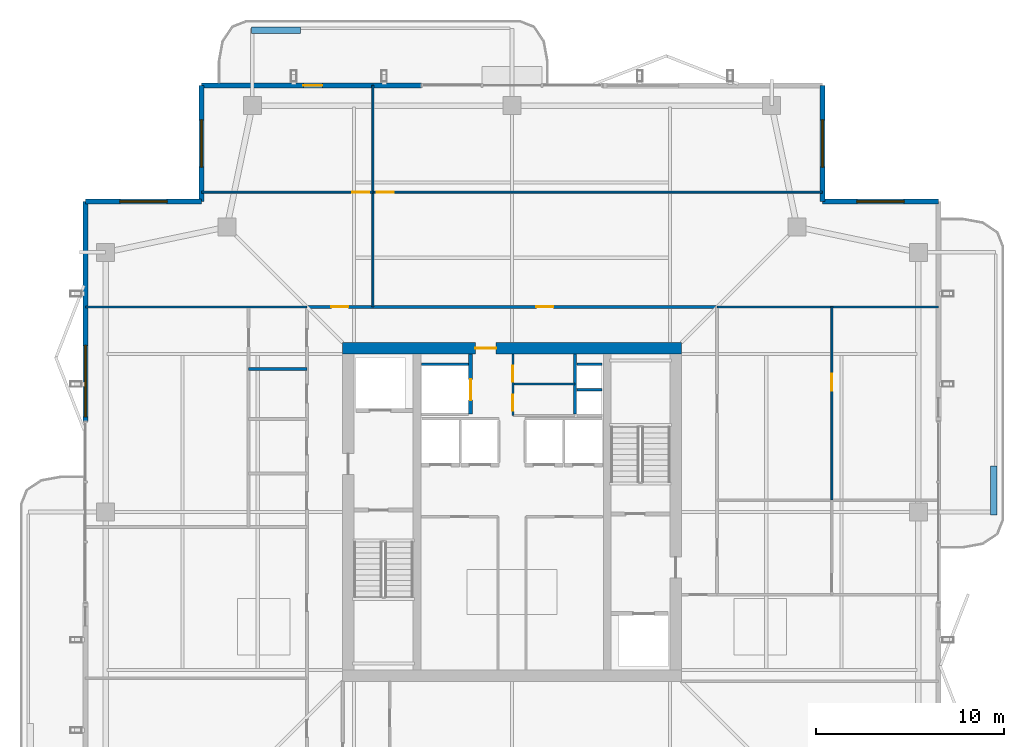
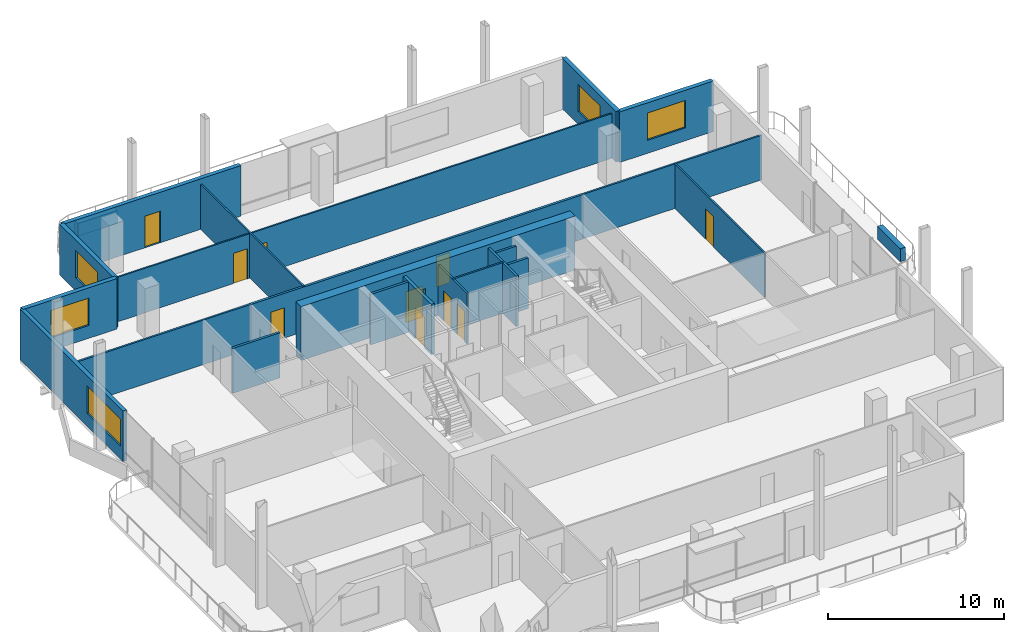
# One storey, part 16 of 20: 24 walls, 10 doors, 5 windows, 15 openings.
"""IFC4 building model written with IfcOpenShell, lengths in metres."""

from ifc_helpers import new_model, si_unit, direction, frame, frame_2d, origin, place, context, subcontext, project, spatial, rectangle, extrude, material, layer, layer_set, type_object, element, fill, save


model = new_model("IFC4")

# Units and contexts
model_context = context("Model", 3, precision=1e-05, world=origin(), true_north=direction((0.0, 1.0)))
body_context = subcontext(model_context, "Body", "Model", "MODEL_VIEW")
ifc_project = project(units=[si_unit("LENGTHUNIT", "METRE"), si_unit("AREAUNIT", "SQUARE_METRE"), si_unit("VOLUMEUNIT", "CUBIC_METRE"), si_unit("PLANEANGLEUNIT", "RADIAN"), si_unit("MASSUNIT", "GRAM", prefix="KILO")], contexts=[model_context])

# Site, building, storey
site_placement = place(None, origin())
site = spatial("IfcSite", under=ifc_project, at=site_placement, CompositionType="ELEMENT")
building_placement = place(site_placement, origin())
building = spatial("IfcBuilding", under=site, at=building_placement, Name="Belovzor Exchange Tower", CompositionType="ELEMENT")
storey_placement = place(building_placement, frame((0.0, 0.0, 306.75)))
storey = spatial("IfcBuildingStorey", under=building, at=storey_placement, Name="L76", CompositionType="ELEMENT", Elevation=306.75)

# Walls
ifc_material_1 = material(Name="Acoustic Plasterboard on Galvanised Studs", Category="gypsum")
ifc_layer_1 = layer(ifc_material_1, 0.1201171875)
ifc_layer_set_1 = layer_set([ifc_layer_1], Name="Acoustic Plasterboard on Galvanised Studs")
wall_type_1 = type_object("IfcWallType", Name="Acoustic Double-Stud Partition Wall 120", PredefinedType="PARTITIONING", material=ifc_layer_set_1)
for number, where, z_axis, x_axis, name in (
    (1, (6.1298828125, 39.699951171875, 0.0), (0.0, 0.0, 1.0), (1.0, 0.0, 0.0), "W-P120 Partition Wall W-L76-END-NW"),
    (2, (39.699951171875, 39.699951171875, 0.0), (0.0, 0.0, 1.0), (1.0, 0.0, 0.0), "W-P120 Partition Wall W-L76-END-NE"),
):
    element("IfcWall", number, at=place(storey_placement, frame(where, z_axis=z_axis, x_axis=x_axis)), inside=storey, type_object=wall_type_1, Name=name, PredefinedType="PARTITIONING", context=body_context, shape_type="SweptSolid", body=[
        extrude(rectangle(XDim=11.77001953125, YDim=0.1201171875, at=frame_2d((5.885009765625, 0.0))), origin(), (0.0, 0.0, 1.0), 3.094970703125),
    ])

# Wall, opening, door
ifc_material_2 = material(Name="Acoustic Laminated Glass and Aluminium", Category="aluminium")
ifc_layer_2 = layer(ifc_material_2, 0.10009765625)
ifc_layer_set_2 = layer_set([ifc_layer_2], Name="Acoustic Laminated Glass and Aluminium")
wall_type_2 = type_object("IfcWallType", Name="Demountable Executive Glass Partition 100", PredefinedType="MOVABLE", material=ifc_layer_set_2)
wall_1_placement = place(storey_placement, frame((12.300048828125, 45.802978515625, 0.0), z_axis=(0.0, 0.0, 1.0), x_axis=(1.0, 0.0, 0.0)))
wall_1 = element("IfcWall", 3, at=wall_1_placement, inside=storey, type_object=wall_type_2, Name="W-M100 Partition Wall W-L76-NHDIV-0", PredefinedType="MOVABLE", context=body_context, shape_type="SweptSolid", body=[
    extrude(rectangle(XDim=9.10400390625, YDim=0.10009765625, at=frame_2d((4.552001953125, 0.0))), origin(), (0.0, 0.0, 1.0), 3.094970703125),
])
opening_1_placement = place(wall_1_placement, frame((8.00390625, 0.0, 0.0)))
opening_1 = element("IfcOpeningElement", 4, at=opening_1_placement, cuts=wall_1, Name="Opening D-INT-090", PredefinedType="OPENING", context=body_context, shape_type="SweptSolid", body=[
    extrude(rectangle(XDim=0.89990234375, YDim=2.10009765625, at=frame_2d((0.449951171875, 1.050048828125))), frame((0.0, 0.06005859375, 0.0), z_axis=(0.0, -1.0, 0.0), x_axis=(1.0, 0.0, 0.0)), (0.0, 0.0, 1.0), 0.1201171875),
])
ifc_material_3 = material(Name="Veneered Hardwood Acoustic Leaf", Category="wood")
door_type_1 = type_object("IfcDoorType", Name="Trading Suite Acoustic Single Door 900x2100", OperationType="NOTDEFINED", PredefinedType="DOOR", material=ifc_material_3)
door_1_placement = place(opening_1_placement, origin())
door_1 = element("IfcDoor", 5, at=door_1_placement, inside=storey, type_object=door_type_1, Name="D-INT-090 Trading Suite Acoustic Single Door 900x2100", OperationType="SINGLE_SWING_RIGHT", OverallHeight=2.10009765625, OverallWidth=0.89990234375, PredefinedType="DOOR", context=body_context, shape_type="SweptSolid", body=[
    extrude(rectangle(XDim=0.89990234375, YDim=2.10009765625, at=frame_2d((0.449951171875, 1.050048828125))), frame((0.0, 0.02490234375, 0.0), z_axis=(0.0, -1.0, 0.0), x_axis=(1.0, 0.0, 0.0)), (0.0, 0.0, 1.0), 0.050048828125),
])
fill(opening_1, door_1)

# Wall
wall_2_placement = place(storey_placement, frame((21.404052734375, 39.699951171875, 0.0), z_axis=(0.0, 0.0, 1.0), x_axis=(0.0, 1.0, 0.0)))
element("IfcWall", 6, at=wall_2_placement, inside=storey, type_object=wall_type_2, Name="W-M100 Partition Wall W-L76-NDIV-1", PredefinedType="MOVABLE", context=body_context, shape_type="SweptSolid", body=[
    extrude(rectangle(XDim=11.77001953125, YDim=0.10009765625, at=frame_2d((5.885009765625, 0.0))), origin(), (0.0, 0.0, 1.0), 3.135009765625),
])

# Wall, opening, door
wall_3_placement = place(storey_placement, frame((21.404052734375, 45.802978515625, 0.0), z_axis=(0.0, 0.0, 1.0), x_axis=(1.0, 0.0, 0.0)))
wall_3 = element("IfcWall", 7, at=wall_3_placement, inside=storey, type_object=wall_type_2, Name="W-M100 Partition Wall W-L76-NHDIV-1", PredefinedType="MOVABLE", context=body_context, shape_type="SweptSolid", body=[
    extrude(rectangle(XDim=23.89599609375, YDim=0.10009765625, at=frame_2d((11.947998046875, 0.0))), origin(), (0.0, 0.0, 1.0), 3.094970703125),
])
opening_2_placement = place(wall_3_placement, frame((0.199951171875, 0.0, 0.0)))
opening_2 = element("IfcOpeningElement", 8, at=opening_2_placement, cuts=wall_3, Name="Opening D-INT-090", PredefinedType="OPENING", context=body_context, shape_type="SweptSolid", body=[
    extrude(rectangle(XDim=0.89990234375, YDim=2.10009765625, at=frame_2d((0.449951171875, 1.050048828125))), frame((0.0, 0.06005859375, 0.0), z_axis=(0.0, -1.0, 0.0), x_axis=(1.0, 0.0, 0.0)), (0.0, 0.0, 1.0), 0.1201171875),
])
door_2_placement = place(opening_2_placement, origin())
door_2 = element("IfcDoor", 9, at=door_2_placement, inside=storey, type_object=door_type_1, Name="D-INT-090 Trading Suite Acoustic Single Door 900x2100", OperationType="SINGLE_SWING_RIGHT", OverallHeight=2.10009765625, OverallWidth=0.89990234375, PredefinedType="DOOR", context=body_context, shape_type="SweptSolid", body=[
    extrude(rectangle(XDim=0.89990234375, YDim=2.10009765625, at=frame_2d((0.449951171875, 1.050048828125))), frame((0.0, 0.02490234375, 0.0), z_axis=(0.0, -1.0, 0.0), x_axis=(1.0, 0.0, 0.0)), (0.0, 0.0, 1.0), 0.050048828125),
])
fill(opening_2, door_2)

wall_4_placement = place(storey_placement, frame((45.802978515625, 29.427978515625, 0.0), z_axis=(0.0, 0.0, 1.0), x_axis=(0.0, 1.0, 0.0)))
wall_4 = element("IfcWall", 10, at=wall_4_placement, inside=storey, type_object=wall_type_2, Name="W-M100 Partition Wall W-L76-EHDIV-1", PredefinedType="MOVABLE", context=body_context, shape_type="SweptSolid", body=[
    extrude(rectangle(XDim=10.27197265625, YDim=0.10009765625, at=frame_2d((5.135986328125, 0.0))), origin(), (0.0, 0.0, 1.0), 3.094970703125),
])
opening_3_placement = place(wall_4_placement, frame((5.80810546875, 0.0, 0.0)))
opening_3 = element("IfcOpeningElement", 11, at=opening_3_placement, cuts=wall_4, Name="Opening D-INT-090", PredefinedType="OPENING", context=body_context, shape_type="SweptSolid", body=[
    extrude(rectangle(XDim=0.89990234375, YDim=2.10009765625, at=frame_2d((0.449951171875, 1.050048828125))), frame((0.0, 0.06005859375, 0.0), z_axis=(0.0, -1.0, 0.0), x_axis=(1.0, 0.0, 0.0)), (0.0, 0.0, 1.0), 0.1201171875),
])
door_3_placement = place(opening_3_placement, origin())
door_3 = element("IfcDoor", 12, at=door_3_placement, inside=storey, type_object=door_type_1, Name="D-INT-090 Trading Suite Acoustic Single Door 900x2100", OperationType="SINGLE_SWING_RIGHT", OverallHeight=2.10009765625, OverallWidth=0.89990234375, PredefinedType="DOOR", context=body_context, shape_type="SweptSolid", body=[
    extrude(rectangle(XDim=0.89990234375, YDim=2.10009765625, at=frame_2d((0.449951171875, 1.050048828125))), frame((0.0, 0.02490234375, 0.0), z_axis=(0.0, -1.0, 0.0), x_axis=(1.0, 0.0, 0.0)), (0.0, 0.0, 1.0), 0.050048828125),
])
fill(opening_3, door_3)

# Wall, openings, doors
ifc_material_4 = material(Name="Fire-Rated Plasterboard on Galvanised Studs", Category="gypsum")
ifc_layer_3 = layer(ifc_material_4, 0.1201171875)
ifc_layer_set_3 = layer_set([ifc_layer_3], Name="Fire-Rated Plasterboard on Galvanised Studs")
wall_type_3 = type_object("IfcWallType", Name="Fire-Rated Double-Stud Partition Wall 120", PredefinedType="PARTITIONING", material=ifc_layer_set_3)
wall_5_placement = place(storey_placement, frame((28.85009765625, 33.925048828125, 0.0), z_axis=(0.0, 0.0, 1.0), x_axis=(0.0, 1.0, 0.0)))
wall_5 = element("IfcWall", 13, at=wall_5_placement, inside=storey, type_object=wall_type_3, Name="W-P120F Partition Wall W-CRV-L76-W", PredefinedType="PARTITIONING", context=body_context, shape_type="SweptSolid", body=[
    extrude(rectangle(XDim=3.27490234375, YDim=0.1201171875, at=frame_2d((1.637451171875, 0.0))), origin(), (0.0, 0.0, 1.0), 3.510009765625),
])
opening_4_placement = place(wall_5_placement, frame((0.25, 0.0, 0.0)))
opening_4 = element("IfcOpeningElement", 14, at=opening_4_placement, cuts=wall_5, Name="Opening D-FD60-085", PredefinedType="OPENING", context=body_context, shape_type="SweptSolid", body=[
    extrude(rectangle(XDim=0.85009765625, YDim=2.10009765625, at=frame_2d((0.425048828125, 1.050048828125))), frame((0.0, 0.070068359375, 0.0), z_axis=(0.0, -1.0, 0.0), x_axis=(1.0, 0.0, 0.0)), (0.0, 0.0, 1.0), 0.14013671875),
])
opening_5_placement = place(wall_5_placement, frame((1.794921875, 0.0, 0.0)))
opening_5 = element("IfcOpeningElement", 15, at=opening_5_placement, cuts=wall_5, Name="Opening D-FD60-085", PredefinedType="OPENING", context=body_context, shape_type="SweptSolid", body=[
    extrude(rectangle(XDim=0.85009765625, YDim=2.10009765625, at=frame_2d((0.425048828125, 1.050048828125))), frame((0.0, 0.070068359375, 0.0), z_axis=(0.0, -1.0, 0.0), x_axis=(1.0, 0.0, 0.0)), (0.0, 0.0, 1.0), 0.14013671875),
])
ifc_material_5 = material(Name="Fire-Rated Steel Access Leaf", Category="steel")
door_type_2 = type_object("IfcDoorType", Name="Riser & Meter Closet Access Fire Door 850x2100", OperationType="NOTDEFINED", PredefinedType="DOOR", material=ifc_material_5)
door_4_placement = place(opening_4_placement, origin())
door_4 = element("IfcDoor", 16, at=door_4_placement, inside=storey, type_object=door_type_2, Name="D-FD60-085 Riser & Meter Closet Access Fire Door 850x2100", OperationType="SINGLE_SWING_LEFT", OverallHeight=2.10009765625, OverallWidth=0.85009765625, PredefinedType="DOOR", context=body_context, shape_type="SweptSolid", body=[
    extrude(rectangle(XDim=0.85009765625, YDim=2.10009765625, at=frame_2d((0.425048828125, 1.050048828125))), frame((0.0, 0.02490234375, 0.0), z_axis=(0.0, -1.0, 0.0), x_axis=(1.0, 0.0, 0.0)), (0.0, 0.0, 1.0), 0.050048828125),
])
fill(opening_4, door_4)
door_5_placement = place(opening_5_placement, origin())
door_5 = element("IfcDoor", 17, at=door_5_placement, inside=storey, type_object=door_type_2, Name="D-FD60-085 Riser & Meter Closet Access Fire Door 850x2100", OperationType="SINGLE_SWING_RIGHT", OverallHeight=2.10009765625, OverallWidth=0.85009765625, PredefinedType="DOOR", context=body_context, shape_type="SweptSolid", body=[
    extrude(rectangle(XDim=0.85009765625, YDim=2.10009765625, at=frame_2d((0.425048828125, 1.050048828125))), frame((0.0, 0.02490234375, 0.0), z_axis=(0.0, -1.0, 0.0), x_axis=(1.0, 0.0, 0.0)), (0.0, 0.0, 1.0), 0.050048828125),
])
fill(opening_5, door_5)

# Walls
wall_6_placement = place(storey_placement, frame((28.85009765625, 35.60009765625, 0.0), z_axis=(0.0, 0.0, 1.0), x_axis=(1.0, 0.0, 0.0)))
element("IfcWall", 18, at=wall_6_placement, inside=storey, type_object=wall_type_3, Name="W-P120F Partition Wall W-CRV-L76-M", PredefinedType="PARTITIONING", context=body_context, shape_type="SweptSolid", body=[
    extrude(rectangle(XDim=3.2998046875, YDim=0.1201171875, at=frame_2d((1.64990234375, 0.0))), origin(), (0.0, 0.0, 1.0), 3.510009765625),
])
ifc_material_6 = material(Name="Fire-Rated Gypsum Block and Mineral Wool", Category="gypsum")
ifc_layer_4 = layer(ifc_material_6, 0.14990234375)
ifc_layer_set_4 = layer_set([ifc_layer_4], Name="Fire-Rated Gypsum Block and Mineral Wool")
wall_type_4 = type_object("IfcWallType", Name="Fire-Rated Gypsum Block Corridor Wall 150", PredefinedType="PARTITIONING", material=ifc_layer_set_4)
wall_7_placement = place(storey_placement, frame((14.800048828125, 36.39990234375, 0.0), z_axis=(0.0, 0.0, 1.0), x_axis=(1.0, 0.0, 0.0)))
element("IfcWall", 19, at=wall_7_placement, inside=storey, type_object=wall_type_4, Name="W-P150 Partition Wall W-L76-WCN", PredefinedType="PARTITIONING", context=body_context, shape_type="SweptSolid", body=[
    extrude(rectangle(XDim=3.099853515625, YDim=0.14990234375, at=frame_2d((1.5498046875, 0.0))), origin(), (0.0, 0.0, 1.0), 3.135009765625),
])

# Wall, openings, doors
wall_8_placement = place(storey_placement, frame((17.89990234375, 39.699951171875, 0.0), z_axis=(0.0, 0.0, 1.0), x_axis=(1.0, 0.0, 0.0)))
wall_8 = element("IfcWall", 20, at=wall_8_placement, inside=storey, type_object=wall_type_4, Name="W-P150 Partition Wall W-L76-CN", PredefinedType="PARTITIONING", context=body_context, shape_type="SweptSolid", body=[
    extrude(rectangle(XDim=21.800048828125, YDim=0.14990234375, at=frame_2d((10.89990234375, 0.0))), origin(), (0.0, 0.0, 1.0), 3.094970703125),
])
opening_6_placement = place(wall_8_placement, frame((1.302001953125, 0.0, 0.0)))
opening_6 = element("IfcOpeningElement", 21, at=opening_6_placement, cuts=wall_8, Name="Opening D-INT-090", PredefinedType="OPENING", context=body_context, shape_type="SweptSolid", body=[
    extrude(rectangle(XDim=0.89990234375, YDim=2.10009765625, at=frame_2d((0.449951171875, 1.050048828125))), frame((0.0, 0.0849609375, 0.0), z_axis=(0.0, -1.0, 0.0), x_axis=(1.0, 0.0, 0.0)), (0.0, 0.0, 1.0), 0.169921875),
])
opening_7_placement = place(wall_8_placement, frame((12.201904296875, 0.0, 0.0)))
opening_7 = element("IfcOpeningElement", 22, at=opening_7_placement, cuts=wall_8, Name="Opening D-INT-090", PredefinedType="OPENING", context=body_context, shape_type="SweptSolid", body=[
    extrude(rectangle(XDim=0.89990234375, YDim=2.10009765625, at=frame_2d((0.449951171875, 1.050048828125))), frame((0.0, 0.0849609375, 0.0), z_axis=(0.0, -1.0, 0.0), x_axis=(1.0, 0.0, 0.0)), (0.0, 0.0, 1.0), 0.169921875),
])
door_6_placement = place(opening_6_placement, origin())
door_6 = element("IfcDoor", 23, at=door_6_placement, inside=storey, type_object=door_type_1, Name="D-INT-090 Trading Suite Acoustic Single Door 900x2100", OperationType="SINGLE_SWING_RIGHT", OverallHeight=2.10009765625, OverallWidth=0.89990234375, PredefinedType="DOOR", context=body_context, shape_type="SweptSolid", body=[
    extrude(rectangle(XDim=0.89990234375, YDim=2.10009765625, at=frame_2d((0.449951171875, 1.050048828125))), frame((0.0, 0.02490234375, 0.0), z_axis=(0.0, -1.0, 0.0), x_axis=(1.0, 0.0, 0.0)), (0.0, 0.0, 1.0), 0.050048828125),
])
fill(opening_6, door_6)
door_7_placement = place(opening_7_placement, origin())
door_7 = element("IfcDoor", 24, at=door_7_placement, inside=storey, type_object=door_type_1, Name="D-INT-090 Trading Suite Acoustic Single Door 900x2100", OperationType="SINGLE_SWING_LEFT", OverallHeight=2.10009765625, OverallWidth=0.89990234375, PredefinedType="DOOR", context=body_context, shape_type="SweptSolid", body=[
    extrude(rectangle(XDim=0.89990234375, YDim=2.10009765625, at=frame_2d((0.449951171875, 1.050048828125))), frame((0.0, 0.02490234375, 0.0), z_axis=(0.0, -1.0, 0.0), x_axis=(1.0, 0.0, 0.0)), (0.0, 0.0, 1.0), 0.050048828125),
])
fill(opening_7, door_7)

# Wall, opening, window
ifc_material_7 = material(Name="Precast concrete C40/50", Category="concrete")
ifc_layer_5 = layer(ifc_material_7, 0.280029296875)
ifc_layer_set_5 = layer_set([ifc_layer_5], Name="Precast concrete C40/50")
wall_type_5 = type_object("IfcWallType", Name="Precast Concrete Notched Corner Frame Wall 280", PredefinedType="SOLIDWALL", material=ifc_layer_set_5)
wall_9_placement = place(storey_placement, frame((6.1298828125, 45.300048828125, 0.0), z_axis=(0.0, 0.0, 1.0), x_axis=(1.0, 0.0, 0.0)))
wall_9 = element("IfcWall", 25, at=wall_9_placement, inside=storey, type_object=wall_type_5, Name="W-CRN280 Precast Concrete Notched Corner Frame Wall 280 L76", PredefinedType="SOLIDWALL", context=body_context, shape_type="SweptSolid", body=[
    extrude(rectangle(XDim=6.170166015625, YDim=0.280029296875, at=frame_2d((3.0849609375, 0.0))), origin(), (0.0, 0.0, 1.0), 3.510009765625),
])
opening_8_placement = place(wall_9_placement, frame((1.8349609375, 0.0, 0.89990234375)))
opening_8 = element("IfcOpeningElement", 26, at=opening_8_placement, cuts=wall_9, Name="Opening WN-CRN250", PredefinedType="OPENING", context=body_context, shape_type="SweptSolid", body=[
    extrude(rectangle(XDim=2.5, YDim=1.89990234375, at=frame_2d((1.25, 0.949951171875))), frame((0.0, 0.14990234375, 0.0), z_axis=(0.0, -1.0, 0.0), x_axis=(1.0, 0.0, 0.0)), (0.0, 0.0, 1.0), 0.300048828125),
])
ifc_material_8 = material(Name="Thermally Broken Aluminium and Triple Glazing", Category="aluminium")
window_type_1 = type_object("IfcWindowType", Name="Streamline Moderne Corner Wrap Ribbon Window 2500x1900", PartitioningType="SINGLE_PANEL", PredefinedType="WINDOW", material=ifc_material_8)
window_1_placement = place(opening_8_placement, origin())
window_1 = element("IfcWindow", 27, at=window_1_placement, inside=storey, type_object=window_type_1, Name="WN-CRN250 Streamline Moderne Corner Wrap Ribbon Window 2500x1900", OverallHeight=1.89990234375, OverallWidth=2.5, PartitioningType="SINGLE_PANEL", PredefinedType="WINDOW", context=body_context, shape_type="SweptSolid", body=[
    extrude(rectangle(XDim=2.5, YDim=1.89990234375, at=frame_2d((1.25, 0.949951171875))), frame((0.0, 0.030029296875, 0.0), z_axis=(0.0, -1.0, 0.0), x_axis=(1.0, 0.0, 0.0)), (0.0, 0.0, 1.0), 0.06005859375),
])
fill(opening_8, window_1)

wall_10_placement = place(storey_placement, frame((12.300048828125, 45.300048828125, 0.0), z_axis=(0.0, 0.0, 1.0), x_axis=(0.0, 1.0, 0.0)))
wall_10 = element("IfcWall", 28, at=wall_10_placement, inside=storey, type_object=wall_type_5, Name="W-CRN280 Precast Concrete Notched Corner Frame Wall 280 L76", PredefinedType="SOLIDWALL", context=body_context, shape_type="SweptSolid", body=[
    extrude(rectangle(XDim=6.169921875, YDim=0.280029296875, at=frame_2d((3.0849609375, 0.0))), origin(), (0.0, 0.0, 1.0), 3.510009765625),
])
opening_9_placement = place(wall_10_placement, frame((1.8349609375, 0.0, 0.89990234375)))
opening_9 = element("IfcOpeningElement", 29, at=opening_9_placement, cuts=wall_10, Name="Opening WN-CRN250", PredefinedType="OPENING", context=body_context, shape_type="SweptSolid", body=[
    extrude(rectangle(XDim=2.5, YDim=1.89990234375, at=frame_2d((1.25, 0.949951171875))), frame((0.0, 0.14990234375, 0.0), z_axis=(0.0, -1.0, 0.0), x_axis=(1.0, 0.0, 0.0)), (0.0, 0.0, 1.0), 0.300048828125),
])
window_2_placement = place(opening_9_placement, origin())
window_2 = element("IfcWindow", 30, at=window_2_placement, inside=storey, type_object=window_type_1, Name="WN-CRN250 Streamline Moderne Corner Wrap Ribbon Window 2500x1900", OverallHeight=1.89990234375, OverallWidth=2.5, PartitioningType="SINGLE_PANEL", PredefinedType="WINDOW", context=body_context, shape_type="SweptSolid", body=[
    extrude(rectangle(XDim=2.5, YDim=1.89990234375, at=frame_2d((1.25, 0.949951171875))), frame((0.0, 0.030029296875, 0.0), z_axis=(0.0, -1.0, 0.0), x_axis=(1.0, 0.0, 0.0)), (0.0, 0.0, 1.0), 0.06005859375),
])
fill(opening_9, window_2)

wall_11_placement = place(storey_placement, frame((45.300048828125, 51.469970703125, 0.0), z_axis=(0.0, 0.0, 1.0), x_axis=(0.0, -1.0, 0.0)))
wall_11 = element("IfcWall", 31, at=wall_11_placement, inside=storey, type_object=wall_type_5, Name="W-CRN280 Precast Concrete Notched Corner Frame Wall 280 L76", PredefinedType="SOLIDWALL", context=body_context, shape_type="SweptSolid", body=[
    extrude(rectangle(XDim=6.169921875, YDim=0.280029296875, at=frame_2d((3.0849609375, 0.0))), origin(), (0.0, 0.0, 1.0), 3.510009765625),
])
opening_10_placement = place(wall_11_placement, frame((1.8349609375, 0.0, 0.89990234375)))
opening_10 = element("IfcOpeningElement", 32, at=opening_10_placement, cuts=wall_11, Name="Opening WN-CRN250", PredefinedType="OPENING", context=body_context, shape_type="SweptSolid", body=[
    extrude(rectangle(XDim=2.5, YDim=1.89990234375, at=frame_2d((1.25, 0.949951171875))), frame((0.0, 0.14990234375, 0.0), z_axis=(0.0, -1.0, 0.0), x_axis=(1.0, 0.0, 0.0)), (0.0, 0.0, 1.0), 0.300048828125),
])
window_3_placement = place(opening_10_placement, origin())
window_3 = element("IfcWindow", 33, at=window_3_placement, inside=storey, type_object=window_type_1, Name="WN-CRN250 Streamline Moderne Corner Wrap Ribbon Window 2500x1900", OverallHeight=1.89990234375, OverallWidth=2.5, PartitioningType="SINGLE_PANEL", PredefinedType="WINDOW", context=body_context, shape_type="SweptSolid", body=[
    extrude(rectangle(XDim=2.5, YDim=1.89990234375, at=frame_2d((1.25, 0.949951171875))), frame((0.0, 0.030029296875, 0.0), z_axis=(0.0, -1.0, 0.0), x_axis=(1.0, 0.0, 0.0)), (0.0, 0.0, 1.0), 0.06005859375),
])
fill(opening_10, window_3)

wall_12_placement = place(storey_placement, frame((45.300048828125, 45.300048828125, 0.0), z_axis=(0.0, 0.0, 1.0), x_axis=(1.0, 0.0, 0.0)))
wall_12 = element("IfcWall", 34, at=wall_12_placement, inside=storey, type_object=wall_type_5, Name="W-CRN280 Precast Concrete Notched Corner Frame Wall 280 L76", PredefinedType="SOLIDWALL", context=body_context, shape_type="SweptSolid", body=[
    extrude(rectangle(XDim=6.169921875, YDim=0.280029296875, at=frame_2d((3.0849609375, 0.0))), origin(), (0.0, 0.0, 1.0), 3.510009765625),
])
opening_11_placement = place(wall_12_placement, frame((1.8349609375, 0.0, 0.89990234375)))
opening_11 = element("IfcOpeningElement", 35, at=opening_11_placement, cuts=wall_12, Name="Opening WN-CRN250", PredefinedType="OPENING", context=body_context, shape_type="SweptSolid", body=[
    extrude(rectangle(XDim=2.5, YDim=1.89990234375, at=frame_2d((1.25, 0.949951171875))), frame((0.0, 0.14990234375, 0.0), z_axis=(0.0, -1.0, 0.0), x_axis=(1.0, 0.0, 0.0)), (0.0, 0.0, 1.0), 0.300048828125),
])
window_4_placement = place(opening_11_placement, origin())
window_4 = element("IfcWindow", 36, at=window_4_placement, inside=storey, type_object=window_type_1, Name="WN-CRN250 Streamline Moderne Corner Wrap Ribbon Window 2500x1900", OverallHeight=1.89990234375, OverallWidth=2.5, PartitioningType="SINGLE_PANEL", PredefinedType="WINDOW", context=body_context, shape_type="SweptSolid", body=[
    extrude(rectangle(XDim=2.5, YDim=1.89990234375, at=frame_2d((1.25, 0.949951171875))), frame((0.0, 0.030029296875, 0.0), z_axis=(0.0, -1.0, 0.0), x_axis=(1.0, 0.0, 0.0)), (0.0, 0.0, 1.0), 0.06005859375),
])
fill(opening_11, window_4)

# Wall, opening, door
ifc_material_9 = material(Name="Precast concrete C40/50", Category="concrete")
ifc_layer_6 = layer(ifc_material_9, 0.260009765625)
ifc_layer_set_6 = layer_set([ifc_layer_6], Name="Precast concrete C40/50")
wall_type_6 = type_object("IfcWallType", Name="Precast Concrete Perimeter Loggia Frame Wall 260", PredefinedType="SOLIDWALL", material=ifc_layer_set_6)
wall_13_placement = place(storey_placement, frame((12.300048828125, 51.469970703125, 0.0), z_axis=(0.0, 0.0, 1.0), x_axis=(1.0, 0.0, 0.0)))
wall_13 = element("IfcWall", 37, at=wall_13_placement, inside=storey, type_object=wall_type_6, Name="W-EXT260 Precast Concrete Perimeter Loggia Frame Wall 260 L76", PredefinedType="SOLIDWALL", context=body_context, shape_type="SweptSolid", body=[
    extrude(rectangle(XDim=11.699951171875, YDim=0.260009765625, at=frame_2d((5.85009765625, 0.0))), origin(), (0.0, 0.0, 1.0), 3.510009765625),
])
opening_12_placement = place(wall_13_placement, frame((5.416015625, 0.0, 0.0)))
opening_12 = element("IfcOpeningElement", 38, at=opening_12_placement, cuts=wall_13, Name="Opening D-BAL100", PredefinedType="OPENING", context=body_context, shape_type="SweptSolid", body=[
    extrude(rectangle(XDim=1.0, YDim=2.199951171875, at=frame_2d((0.5, 1.10009765625))), frame((0.0, 0.139892578125, 0.0), z_axis=(0.0, -1.0, 0.0), x_axis=(1.0, 0.0, 0.0)), (0.0, 0.0, 1.0), 0.280029296875),
])
ifc_material_10 = material(Name="Thermally Broken Anodised Aluminium and Laminated Glass", Category="aluminium")
door_type_3 = type_object("IfcDoorType", Name="Planted Loggia Terrace Glazed Door 1000x2200", OperationType="SINGLE_SWING_LEFT", PredefinedType="DOOR", material=ifc_material_10)
door_8_placement = place(opening_12_placement, origin())
door_8 = element("IfcDoor", 39, at=door_8_placement, inside=storey, type_object=door_type_3, Name="D-BAL100 Balcony Terrace Door L76 N", OperationType="SINGLE_SWING_RIGHT", OverallHeight=2.199951171875, OverallWidth=1.0, PredefinedType="DOOR", context=body_context, shape_type="SweptSolid", body=[
    extrude(rectangle(XDim=1.0, YDim=2.199951171875, at=frame_2d((0.5, 1.10009765625))), frame((0.0, 0.02490234375, 0.0), z_axis=(0.0, -1.0, 0.0), x_axis=(1.0, 0.0, 0.0)), (0.0, 0.0, 1.0), 0.050048828125),
])
fill(opening_12, door_8)

# Wall, opening, window
wall_14_placement = place(storey_placement, frame((6.1298828125, 33.60009765625, 0.0), z_axis=(0.0, 0.0, 1.0), x_axis=(0.0, 1.0, 0.0)))
wall_14 = element("IfcWall", 40, at=wall_14_placement, inside=storey, type_object=wall_type_6, Name="W-EXT260 Precast Concrete Perimeter Loggia Frame Wall 260 L76", PredefinedType="SOLIDWALL", context=body_context, shape_type="SweptSolid", body=[
    extrude(rectangle(XDim=11.699951171875, YDim=0.260009765625, at=frame_2d((5.85009765625, 0.0))), origin(), (0.0, 0.0, 1.0), 3.510009765625),
])
opening_13_placement = place(wall_14_placement, frame((0.25, 0.0, 0.89990234375)))
opening_13 = element("IfcOpeningElement", 41, at=opening_13_placement, cuts=wall_14, Name="Opening WN-RIB380", PredefinedType="OPENING", context=body_context, shape_type="SweptSolid", body=[
    extrude(rectangle(XDim=3.800048828125, YDim=1.89990234375, at=frame_2d((1.89990234375, 0.949951171875))), frame((0.0, 0.139892578125, 0.0), z_axis=(0.0, -1.0, 0.0), x_axis=(1.0, 0.0, 0.0)), (0.0, 0.0, 1.0), 0.280029296875),
])
ifc_material_11 = material(Name="Thermally Broken Aluminium and Triple Glazing", Category="aluminium")
window_type_2 = type_object("IfcWindowType", Name="Streamline Moderne Horizontal Ribbon Window 3800x1900", PartitioningType="SINGLE_PANEL", PredefinedType="WINDOW", material=ifc_material_11)
window_5_placement = place(opening_13_placement, origin())
window_5 = element("IfcWindow", 42, at=window_5_placement, inside=storey, type_object=window_type_2, Name="WN-RIB380 Streamline Moderne Horizontal Ribbon Window 3800x1900", OverallHeight=1.89990234375, OverallWidth=3.800048828125, PartitioningType="SINGLE_PANEL", PredefinedType="WINDOW", context=body_context, shape_type="SweptSolid", body=[
    extrude(rectangle(XDim=3.800048828125, YDim=1.89990234375, at=frame_2d((1.89990234375, 0.949951171875))), frame((0.0, 0.030029296875, 0.0), z_axis=(0.0, -1.0, 0.0), x_axis=(1.0, 0.0, 0.0)), (0.0, 0.0, 1.0), 0.06005859375),
])
fill(opening_13, window_5)

# Walls
ifc_material_12 = material(Name="Precast concrete C40/50", Category="concrete")
ifc_layer_7 = layer(ifc_material_12, 0.35009765625)
ifc_layer_set_7 = layer_set([ifc_layer_7], Name="Precast concrete C40/50")
wall_type_7 = type_object("IfcWallType", Name="Precast Concrete Structural Tree Planter Trough 350", PredefinedType="PARAPET", material=ifc_layer_set_7)
for number, where, z_axis, x_axis, name in (
    (43, (14.949951171875, 54.39990234375, 0.0), (0.0, 0.0, 1.0), (1.0, 0.0, 0.0), "PT-350 Precast Concrete Structural Tree Planter Trough 350 L76"),
    (44, (54.39990234375, 28.64990234375, 0.0), (0.0, 0.0, 1.0), (0.0, 1.0, 0.0), "PT-350 Precast Concrete Structural Tree Planter Trough 350 L76"),
):
    element("IfcWall", number, at=place(storey_placement, frame(where, z_axis=z_axis, x_axis=x_axis)), inside=storey, type_object=wall_type_7, Name=name, PredefinedType="PARAPET", context=body_context, shape_type="SweptSolid", body=[
        extrude(rectangle(XDim=2.60009765625, YDim=0.35009765625, at=frame_2d((1.300048828125, 0.0))), origin(), (0.0, 0.0, 1.0), 0.89990234375),
    ])
ifc_material_13 = material(Name="Concrete C50/60", Category="concrete")
ifc_layer_8 = layer(ifc_material_13, 0.14990234375)
ifc_layer_set_8 = layer_set([ifc_layer_8], Name="Concrete C50/60")
wall_type_8 = type_object("IfcWallType", Name="Reinforced Concrete Core Riser Shear Wall 150", PredefinedType="SHEAR", material=ifc_layer_set_8)
wall_15_placement = place(storey_placement, frame((32.14990234375, 34.0, 0.0), z_axis=(0.0, 0.0, 1.0), x_axis=(0.0, 1.0, 0.0)))
element("IfcWall", 45, at=wall_15_placement, inside=storey, type_object=wall_type_8, Name="W-C150S Core Shaft Wall W-RSR-L76-E", PredefinedType="SHEAR", context=body_context, shape_type="SweptSolid", body=[
    extrude(rectangle(XDim=3.199951171875, YDim=0.14990234375, at=frame_2d((1.60009765625, 0.0))), origin(), (0.0, 0.0, 1.0), 3.510009765625),
])
wall_16_placement = place(storey_placement, frame((32.25, 35.300048828125, 0.0), z_axis=(0.0, 0.0, 1.0), x_axis=(1.0, 0.0, 0.0)))
element("IfcWall", 46, at=wall_16_placement, inside=storey, type_object=wall_type_8, Name="W-C150S Core Shaft Wall W-RSR-L76-M", PredefinedType="SHEAR", context=body_context, shape_type="SweptSolid", body=[
    extrude(rectangle(XDim=1.330078125, YDim=0.14990234375, at=frame_2d((0.6650390625, 0.0))), origin(), (0.0, 0.0, 1.0), 3.510009765625),
])
wall_17_placement = place(storey_placement, frame((24.0, 36.64990234375, 0.0), z_axis=(0.0, 0.0, 1.0), x_axis=(1.0, 0.0, 0.0)))
element("IfcWall", 47, at=wall_17_placement, inside=storey, type_object=wall_type_8, Name="W-C150S Core Shaft Wall W-SH-L76-SL-01N", PredefinedType="SHEAR", context=body_context, shape_type="SweptSolid", body=[
    extrude(rectangle(XDim=2.47998046875, YDim=0.14990234375, at=frame_2d((1.239990234375, 0.0))), origin(), (0.0, 0.0, 1.0), 3.510009765625),
])
wall_18_placement = place(storey_placement, frame((32.25, 36.64990234375, 0.0), z_axis=(0.0, 0.0, 1.0), x_axis=(1.0, 0.0, 0.0)))
element("IfcWall", 48, at=wall_18_placement, inside=storey, type_object=wall_type_8, Name="W-C150S Core Shaft Wall W-RSR-L76-N", PredefinedType="SHEAR", context=body_context, shape_type="SweptSolid", body=[
    extrude(rectangle(XDim=1.330078125, YDim=0.14990234375, at=frame_2d((0.6650390625, 0.0))), origin(), (0.0, 0.0, 1.0), 3.510009765625),
])

# Wall, opening, door
ifc_material_14 = material(Name="Concrete C50/60", Category="concrete")
ifc_layer_9 = layer(ifc_material_14, 0.199951171875)
ifc_layer_set_9 = layer_set([ifc_layer_9], Name="Concrete C50/60")
wall_type_9 = type_object("IfcWallType", Name="Reinforced Concrete Core Shaft Shear Wall 200", PredefinedType="SHEAR", material=ifc_layer_set_9)
wall_19_placement = place(storey_placement, frame((26.60009765625, 34.0, 0.0), z_axis=(0.0, 0.0, 1.0), x_axis=(0.0, 1.0, 0.0)))
wall_19 = element("IfcWall", 49, at=wall_19_placement, inside=storey, type_object=wall_type_9, Name="W-C200S Core Shaft Wall W-SH-L76-SL-01", PredefinedType="SHEAR", context=body_context, shape_type="SweptSolid", body=[
    extrude(rectangle(XDim=3.199951171875, YDim=0.199951171875, at=frame_2d((1.60009765625, 0.0))), origin(), (0.0, 0.0, 1.0), 3.510009765625),
])
opening_14_placement = place(wall_19_placement, frame((0.75, 0.0, 0.0)))
opening_14 = element("IfcOpeningElement", 50, at=opening_14_placement, cuts=wall_19, Name="Opening LD-110", PredefinedType="OPENING", context=body_context, shape_type="SweptSolid", body=[
    extrude(rectangle(XDim=1.10009765625, YDim=2.14990234375, at=frame_2d((0.550048828125, 1.074951171875))), frame((0.0, 0.10986328125, 0.0), z_axis=(0.0, -1.0, 0.0), x_axis=(1.0, 0.0, 0.0)), (0.0, 0.0, 1.0), 0.219970703125),
])
ifc_material_15 = material(Name="Stainless Steel Grade 304", Category="steel")
door_type_4 = type_object("IfcDoorType", Name="Automated Stainless Steel Lift Landing Door 1100x2150", OperationType="SLIDING_TO_RIGHT", PredefinedType="DOOR", material=ifc_material_15)
door_9_placement = place(opening_14_placement, origin())
door_9 = element("IfcDoor", 51, at=door_9_placement, inside=storey, type_object=door_type_4, Name="LD-110 Automated Stainless Steel Lift Landing Door 1100x2150", OperationType="SLIDING_TO_RIGHT", OverallHeight=2.14990234375, OverallWidth=1.10009765625, PredefinedType="DOOR", context=body_context, shape_type="SweptSolid", body=[
    extrude(rectangle(XDim=1.10009765625, YDim=2.14990234375, at=frame_2d((0.550048828125, 1.074951171875))), frame((0.0, 0.02490234375, 0.0), z_axis=(0.0, -1.0, 0.0), x_axis=(1.0, 0.0, 0.0)), (0.0, 0.0, 1.0), 0.050048828125),
])
fill(opening_14, door_9)

ifc_material_16 = material(Name="Concrete C50/60", Category="concrete")
ifc_layer_10 = layer(ifc_material_16, 0.60009765625)
ifc_layer_set_10 = layer_set([ifc_layer_10], Name="Concrete C50/60")
wall_type_10 = type_object("IfcWallType", Name="Reinforced Concrete Core Shear Wall 600", PredefinedType="SHEAR", material=ifc_layer_set_10)
wall_20_placement = place(storey_placement, frame((19.800048828125, 37.5, 0.0), z_axis=(0.0, 0.0, 1.0), x_axis=(1.0, 0.0, 0.0)))
wall_20 = element("IfcWall", 52, at=wall_20_placement, inside=storey, type_object=wall_type_10, Name="CW-S060 Core Shear Wall L76 N", PredefinedType="SHEAR", context=body_context, shape_type="SweptSolid", body=[
    extrude(rectangle(XDim=18.0, YDim=0.60009765625, at=frame_2d((9.0, 0.0))), origin(), (0.0, 0.0, 1.0), 3.75),
])
opening_15_placement = place(wall_20_placement, frame((7.050048828125, 0.0, 0.0)))
opening_15 = element("IfcOpeningElement", 53, at=opening_15_placement, cuts=wall_20, Name="Opening D-FD90-110", PredefinedType="OPENING", context=body_context, shape_type="SweptSolid", body=[
    extrude(rectangle(XDim=1.10009765625, YDim=2.14990234375, at=frame_2d((0.550048828125, 1.074951171875))), frame((0.0, 0.31005859375, 0.0), z_axis=(0.0, -1.0, 0.0), x_axis=(1.0, 0.0, 0.0)), (0.0, 0.0, 1.0), 0.6201171875),
])
ifc_material_17 = material(Name="Fire-Rated Galvanised Steel Leaf", Category="steel")
door_type_5 = type_object("IfcDoorType", Name="Protected Escape Vestibule Fire Door 1100x2150", OperationType="NOTDEFINED", PredefinedType="DOOR", material=ifc_material_17)
door_10_placement = place(opening_15_placement, origin())
door_10 = element("IfcDoor", 54, at=door_10_placement, inside=storey, type_object=door_type_5, Name="D-FD90-110 Protected Escape Vestibule Fire Door 1100x2150", OperationType="SINGLE_SWING_LEFT", OverallHeight=2.14990234375, OverallWidth=1.10009765625, PredefinedType="DOOR", context=body_context, shape_type="SweptSolid", body=[
    extrude(rectangle(XDim=1.10009765625, YDim=2.14990234375, at=frame_2d((0.550048828125, 1.074951171875))), frame((0.0, 0.02490234375, 0.0), z_axis=(0.0, -1.0, 0.0), x_axis=(1.0, 0.0, 0.0)), (0.0, 0.0, 1.0), 0.050048828125),
])
fill(opening_15, door_10)

save(model, "model.ifc")
